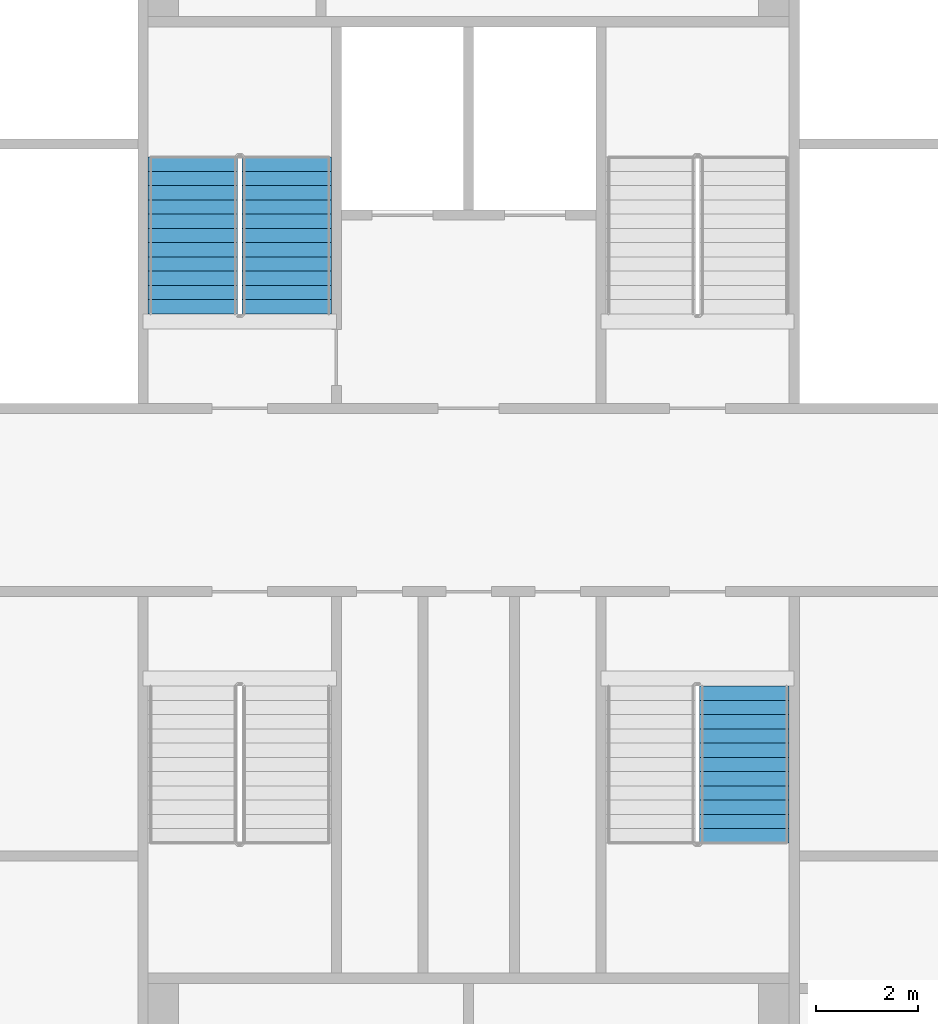
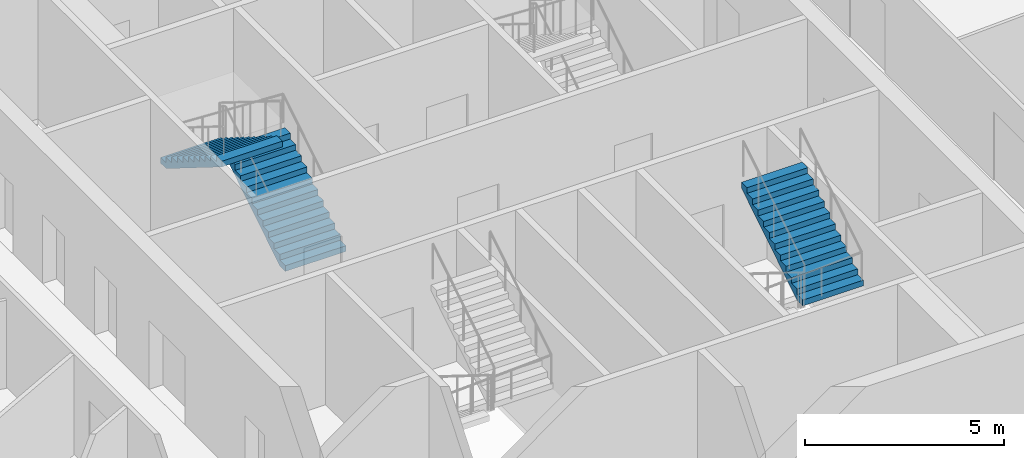
# One storey, part 25 of 31: 3 stair flights, 2 elements without a shape of their own.
"""IFC4 building model written with IfcOpenShell, lengths in metres."""

from ifc_helpers import new_model, si_unit, direction, frame, origin, place, context, subcontext, project, spatial, faceted_brep, material, type_object, element, aggregate, save


model = new_model("IFC4")

# Units and contexts
model_context = context("Model", 3, precision=1e-05, world=origin(), true_north=direction((0.0, 1.0)))
body_context = subcontext(model_context, "Body", "Model", "MODEL_VIEW")
ifc_project = project(units=[si_unit("LENGTHUNIT", "METRE"), si_unit("AREAUNIT", "SQUARE_METRE"), si_unit("VOLUMEUNIT", "CUBIC_METRE"), si_unit("PLANEANGLEUNIT", "RADIAN"), si_unit("MASSUNIT", "GRAM", prefix="KILO")], contexts=[model_context])

# Site, building, storey
site_placement = place(None, origin())
site = spatial("IfcSite", under=ifc_project, at=site_placement, CompositionType="ELEMENT")
building_placement = place(site_placement, origin())
building = spatial("IfcBuilding", under=site, at=building_placement, Name="Tarsis Ring Headquarters", CompositionType="ELEMENT")
storey_placement = place(building_placement, frame((0.0, 0.0, 390.199951171875)))
storey = spatial("IfcBuildingStorey", under=building, at=storey_placement, Name="L92", CompositionType="ELEMENT", Elevation=390.199951171875)

# Stair, stair flights
ifc_material_1 = material(Name="Core stair 1760")
stair_type = type_object("IfcStairType", Name="Core stair 1760", PredefinedType="HALF_TURN_STAIR", material=ifc_material_1)
stair_1_placement = place(storey_placement, origin())
stair_1 = element("IfcStair", 1, at=stair_1_placement, inside=storey, type_object=stair_type, Name="L92 Firefighting stair", PredefinedType="HALF_TURN_STAIR")
ifc_material_2 = material(Name="Concrete C40/50", Category="concrete")
stair_flight_type = type_object("IfcStairFlightType", Name="Core stair flight 1760", PredefinedType="STRAIGHT", material=ifc_material_2)
stair_flight_1_placement = place(storey_placement, frame((-3.580078125, 3.659912109375, 0.0), z_axis=(0.0, 0.0, 1.0), x_axis=(0.0, 1.0, 0.0)))
stair_flight_1 = element("IfcStairFlight", 2, at=stair_flight_1_placement, type_object=stair_flight_type, Name="Stair ST1 flight 1", NumberOfRisers=12, NumberOfTreads=11, PredefinedType="STRAIGHT", RiserHeight=0.175, TreadLength=0.28, context=body_context, shape_type="Brep", body=[
    faceted_brep([(0.0, 0.8798828125, 0.0), (0.0, 0.8798828125, 0.175048828125), (0.280029296875, 0.8798828125, 0.175048828125), (0.280029296875, 0.8798828125, 0.35009765625), (0.56005859375, 0.8798828125, 0.35009765625), (0.56005859375, 0.8798828125, 0.52490234375), (0.840087890625, 0.8798828125, 0.52490234375), (0.840087890625, 0.8798828125, 0.699951171875), (1.1201171875, 0.8798828125, 0.699951171875), (1.1201171875, 0.8798828125, 0.875), (1.39990234375, 0.8798828125, 0.875), (1.39990234375, 0.8798828125, 1.050048828125), (1.679931640625, 0.8798828125, 1.050048828125), (1.679931640625, 0.8798828125, 1.22509765625), (1.9599609375, 0.8798828125, 1.22509765625), (1.9599609375, 0.8798828125, 1.39990234375), (2.239990234375, 0.8798828125, 1.39990234375), (2.239990234375, 0.8798828125, 1.574951171875), (2.52001953125, 0.8798828125, 1.574951171875), (2.52001953125, 0.8798828125, 1.75), (2.800048828125, 0.8798828125, 1.75), (2.800048828125, 0.8798828125, 1.925048828125), (3.080078125, 0.8798828125, 1.925048828125), (3.080078125, 0.8798828125, 1.748291015625), (0.28271484375, 0.8798828125, 0.0), (0.28271484375, -0.8798828125, 0.0), (3.080078125, -0.8798828125, 1.748291015625), (3.080078125, -0.8798828125, 1.925048828125), (2.800048828125, -0.8798828125, 1.925048828125), (2.800048828125, -0.8798828125, 1.75), (2.52001953125, -0.8798828125, 1.75), (2.52001953125, -0.8798828125, 1.574951171875), (2.239990234375, -0.8798828125, 1.574951171875), (2.239990234375, -0.8798828125, 1.39990234375), (1.9599609375, -0.8798828125, 1.39990234375), (1.9599609375, -0.8798828125, 1.22509765625), (1.679931640625, -0.8798828125, 1.22509765625), (1.679931640625, -0.8798828125, 1.050048828125), (1.39990234375, -0.8798828125, 1.050048828125), (1.39990234375, -0.8798828125, 0.875), (1.1201171875, -0.8798828125, 0.875), (1.1201171875, -0.8798828125, 0.699951171875), (0.840087890625, -0.8798828125, 0.699951171875), (0.840087890625, -0.8798828125, 0.52490234375), (0.56005859375, -0.8798828125, 0.52490234375), (0.56005859375, -0.8798828125, 0.35009765625), (0.280029296875, -0.8798828125, 0.35009765625), (0.280029296875, -0.8798828125, 0.175048828125), (0.0, -0.8798828125, 0.175048828125), (0.0, -0.8798828125, 0.0), (0.0, -0.43994140625, 0.175048828125), (0.0, -0.43994140625, 0.0), (0.0, 0.0, 0.175048828125), (0.0, 0.0, 0.0), (0.0, 0.43994140625, 0.175048828125), (0.0, 0.43994140625, 0.0), (0.280029296875, -0.43994140625, 0.175048828125), (0.280029296875, 0.0, 0.175048828125), (0.280029296875, 0.43994140625, 0.175048828125), (0.280029296875, -0.43994140625, 0.35009765625), (0.280029296875, 0.0, 0.35009765625), (0.280029296875, 0.43994140625, 0.35009765625), (0.56005859375, -0.43994140625, 0.35009765625), (0.56005859375, 0.0, 0.35009765625), (0.56005859375, 0.43994140625, 0.35009765625), (0.56005859375, -0.43994140625, 0.52490234375), (0.56005859375, 0.0, 0.52490234375), (0.56005859375, 0.43994140625, 0.52490234375), (0.840087890625, -0.43994140625, 0.52490234375), (0.840087890625, 0.0, 0.52490234375), (0.840087890625, 0.43994140625, 0.52490234375), (0.840087890625, -0.43994140625, 0.699951171875), (0.840087890625, 0.0, 0.699951171875), (0.840087890625, 0.43994140625, 0.699951171875), (1.1201171875, -0.43994140625, 0.699951171875), (1.1201171875, 0.0, 0.699951171875), (1.1201171875, 0.43994140625, 0.699951171875), (1.1201171875, -0.43994140625, 0.875), (1.1201171875, 0.0, 0.875), (1.1201171875, 0.43994140625, 0.875), (1.39990234375, -0.43994140625, 0.875), (1.39990234375, 0.0, 0.875), (1.39990234375, 0.43994140625, 0.875), (1.39990234375, -0.43994140625, 1.050048828125), (1.39990234375, 0.0, 1.050048828125), (1.39990234375, 0.43994140625, 1.050048828125), (1.679931640625, -0.43994140625, 1.050048828125), (1.679931640625, 0.0, 1.050048828125), (1.679931640625, 0.43994140625, 1.050048828125), (1.679931640625, -0.43994140625, 1.22509765625), (1.679931640625, 0.0, 1.22509765625), (1.679931640625, 0.43994140625, 1.22509765625), (1.9599609375, -0.43994140625, 1.22509765625), (1.9599609375, 0.0, 1.22509765625), (1.9599609375, 0.43994140625, 1.22509765625), (1.9599609375, -0.43994140625, 1.39990234375), (1.9599609375, 0.0, 1.39990234375), (1.9599609375, 0.43994140625, 1.39990234375), (2.239990234375, -0.43994140625, 1.39990234375), (2.239990234375, 0.0, 1.39990234375), (2.239990234375, 0.43994140625, 1.39990234375), (2.239990234375, -0.43994140625, 1.574951171875), (2.239990234375, 0.0, 1.574951171875), (2.239990234375, 0.43994140625, 1.574951171875), (2.52001953125, -0.43994140625, 1.574951171875), (2.52001953125, 0.0, 1.574951171875), (2.52001953125, 0.43994140625, 1.574951171875), (2.52001953125, -0.43994140625, 1.75), (2.52001953125, 0.0, 1.75), (2.52001953125, 0.43994140625, 1.75), (2.800048828125, -0.43994140625, 1.75), (2.800048828125, 0.0, 1.75), (2.800048828125, 0.43994140625, 1.75), (2.800048828125, -0.43994140625, 1.925048828125), (2.800048828125, 0.0, 1.925048828125), (2.800048828125, 0.43994140625, 1.925048828125), (3.080078125, -0.43994140625, 1.925048828125), (3.080078125, 0.0, 1.925048828125), (3.080078125, 0.43994140625, 1.925048828125), (3.080078125, -0.43994140625, 1.748291015625), (3.080078125, 0.0, 1.748291015625), (3.080078125, 0.43994140625, 1.748291015625), (0.28271484375, -0.43994140625, 0.0), (0.28271484375, 0.0, 0.0), (0.28271484375, 0.43994140625, 0.0)], [[[0, 1, 2, 3, 4, 5, 6, 7, 8, 9, 10, 11, 12, 13, 14, 15, 16, 17, 18, 19, 20, 21, 22, 23, 24]], [[25, 26, 27, 28, 29, 30, 31, 32, 33, 34, 35, 36, 37, 38, 39, 40, 41, 42, 43, 44, 45, 46, 47, 48, 49]], [[49, 48, 50, 51]], [[51, 50, 52, 53]], [[53, 52, 54, 55]], [[55, 54, 1, 0]], [[48, 47, 56, 50]], [[50, 56, 57, 52]], [[52, 57, 58, 54]], [[54, 58, 2, 1]], [[47, 46, 59, 56]], [[56, 59, 60, 57]], [[57, 60, 61, 58]], [[58, 61, 3, 2]], [[46, 45, 62, 59]], [[59, 62, 63, 60]], [[60, 63, 64, 61]], [[61, 64, 4, 3]], [[45, 44, 65, 62]], [[62, 65, 66, 63]], [[63, 66, 67, 64]], [[64, 67, 5, 4]], [[44, 43, 68, 65]], [[65, 68, 69, 66]], [[66, 69, 70, 67]], [[67, 70, 6, 5]], [[43, 42, 71, 68]], [[68, 71, 72, 69]], [[69, 72, 73, 70]], [[70, 73, 7, 6]], [[42, 41, 74, 71]], [[71, 74, 75, 72]], [[72, 75, 76, 73]], [[73, 76, 8, 7]], [[41, 40, 77, 74]], [[74, 77, 78, 75]], [[75, 78, 79, 76]], [[76, 79, 9, 8]], [[40, 39, 80, 77]], [[77, 80, 81, 78]], [[78, 81, 82, 79]], [[79, 82, 10, 9]], [[39, 38, 83, 80]], [[80, 83, 84, 81]], [[81, 84, 85, 82]], [[82, 85, 11, 10]], [[38, 37, 86, 83]], [[83, 86, 87, 84]], [[84, 87, 88, 85]], [[85, 88, 12, 11]], [[37, 36, 89, 86]], [[86, 89, 90, 87]], [[87, 90, 91, 88]], [[88, 91, 13, 12]], [[36, 35, 92, 89]], [[89, 92, 93, 90]], [[90, 93, 94, 91]], [[91, 94, 14, 13]], [[35, 34, 95, 92]], [[92, 95, 96, 93]], [[93, 96, 97, 94]], [[94, 97, 15, 14]], [[34, 33, 98, 95]], [[95, 98, 99, 96]], [[96, 99, 100, 97]], [[97, 100, 16, 15]], [[33, 32, 101, 98]], [[98, 101, 102, 99]], [[99, 102, 103, 100]], [[100, 103, 17, 16]], [[32, 31, 104, 101]], [[101, 104, 105, 102]], [[102, 105, 106, 103]], [[103, 106, 18, 17]], [[31, 30, 107, 104]], [[104, 107, 108, 105]], [[105, 108, 109, 106]], [[106, 109, 19, 18]], [[30, 29, 110, 107]], [[107, 110, 111, 108]], [[108, 111, 112, 109]], [[109, 112, 20, 19]], [[29, 28, 113, 110]], [[110, 113, 114, 111]], [[111, 114, 115, 112]], [[112, 115, 21, 20]], [[28, 27, 116, 113]], [[113, 116, 117, 114]], [[114, 117, 118, 115]], [[115, 118, 22, 21]], [[27, 26, 119, 116]], [[116, 119, 120, 117]], [[117, 120, 121, 118]], [[118, 121, 23, 22]], [[26, 25, 122, 119]], [[119, 122, 123, 120]], [[120, 123, 124, 121]], [[121, 124, 24, 23]], [[25, 49, 51, 122]], [[122, 51, 53, 123]], [[123, 53, 55, 124]], [[124, 55, 0, 24]]]),
])
stair_flight_2_placement = place(storey_placement, frame((-5.419921875, 6.739990234375, 2.10009765625), z_axis=(0.0, 0.0, 1.0), x_axis=(0.0, -1.0, 0.0)))
stair_flight_2 = element("IfcStairFlight", 3, at=stair_flight_2_placement, type_object=stair_flight_type, Name="Stair ST1 flight 2", NumberOfRisers=12, NumberOfTreads=11, PredefinedType="STRAIGHT", RiserHeight=0.175, TreadLength=0.28, context=body_context, shape_type="Brep", body=[
    faceted_brep([(0.0, 0.8798828125, 0.0), (0.0, 0.8798828125, 0.175048828125), (0.280029296875, 0.8798828125, 0.175048828125), (0.280029296875, 0.8798828125, 0.35009765625), (0.56005859375, 0.8798828125, 0.35009765625), (0.56005859375, 0.8798828125, 0.52490234375), (0.840087890625, 0.8798828125, 0.52490234375), (0.840087890625, 0.8798828125, 0.699951171875), (1.1201171875, 0.8798828125, 0.699951171875), (1.1201171875, 0.8798828125, 0.875), (1.39990234375, 0.8798828125, 0.875), (1.39990234375, 0.8798828125, 1.050048828125), (1.679931640625, 0.8798828125, 1.050048828125), (1.679931640625, 0.8798828125, 1.22509765625), (1.9599609375, 0.8798828125, 1.22509765625), (1.9599609375, 0.8798828125, 1.39990234375), (2.239990234375, 0.8798828125, 1.39990234375), (2.239990234375, 0.8798828125, 1.574951171875), (2.52001953125, 0.8798828125, 1.574951171875), (2.52001953125, 0.8798828125, 1.75), (2.800048828125, 0.8798828125, 1.75), (2.800048828125, 0.8798828125, 1.925048828125), (3.080078125, 0.8798828125, 1.925048828125), (3.080078125, 0.8798828125, 1.748291015625), (0.28271484375, 0.8798828125, 0.0), (0.28271484375, -0.8798828125, 0.0), (3.080078125, -0.8798828125, 1.748291015625), (3.080078125, -0.8798828125, 1.925048828125), (2.800048828125, -0.8798828125, 1.925048828125), (2.800048828125, -0.8798828125, 1.75), (2.52001953125, -0.8798828125, 1.75), (2.52001953125, -0.8798828125, 1.574951171875), (2.239990234375, -0.8798828125, 1.574951171875), (2.239990234375, -0.8798828125, 1.39990234375), (1.9599609375, -0.8798828125, 1.39990234375), (1.9599609375, -0.8798828125, 1.22509765625), (1.679931640625, -0.8798828125, 1.22509765625), (1.679931640625, -0.8798828125, 1.050048828125), (1.39990234375, -0.8798828125, 1.050048828125), (1.39990234375, -0.8798828125, 0.875), (1.1201171875, -0.8798828125, 0.875), (1.1201171875, -0.8798828125, 0.699951171875), (0.840087890625, -0.8798828125, 0.699951171875), (0.840087890625, -0.8798828125, 0.52490234375), (0.56005859375, -0.8798828125, 0.52490234375), (0.56005859375, -0.8798828125, 0.35009765625), (0.280029296875, -0.8798828125, 0.35009765625), (0.280029296875, -0.8798828125, 0.175048828125), (0.0, -0.8798828125, 0.175048828125), (0.0, -0.8798828125, 0.0), (0.0, -0.43994140625, 0.175048828125), (0.0, -0.43994140625, 0.0), (0.0, 0.0, 0.175048828125), (0.0, 0.0, 0.0), (0.0, 0.43994140625, 0.175048828125), (0.0, 0.43994140625, 0.0), (0.280029296875, -0.43994140625, 0.175048828125), (0.280029296875, 0.0, 0.175048828125), (0.280029296875, 0.43994140625, 0.175048828125), (0.280029296875, -0.43994140625, 0.35009765625), (0.280029296875, 0.0, 0.35009765625), (0.280029296875, 0.43994140625, 0.35009765625), (0.56005859375, -0.43994140625, 0.35009765625), (0.56005859375, 0.0, 0.35009765625), (0.56005859375, 0.43994140625, 0.35009765625), (0.56005859375, -0.43994140625, 0.52490234375), (0.56005859375, 0.0, 0.52490234375), (0.56005859375, 0.43994140625, 0.52490234375), (0.840087890625, -0.43994140625, 0.52490234375), (0.840087890625, 0.0, 0.52490234375), (0.840087890625, 0.43994140625, 0.52490234375), (0.840087890625, -0.43994140625, 0.699951171875), (0.840087890625, 0.0, 0.699951171875), (0.840087890625, 0.43994140625, 0.699951171875), (1.1201171875, -0.43994140625, 0.699951171875), (1.1201171875, 0.0, 0.699951171875), (1.1201171875, 0.43994140625, 0.699951171875), (1.1201171875, -0.43994140625, 0.875), (1.1201171875, 0.0, 0.875), (1.1201171875, 0.43994140625, 0.875), (1.39990234375, -0.43994140625, 0.875), (1.39990234375, 0.0, 0.875), (1.39990234375, 0.43994140625, 0.875), (1.39990234375, -0.43994140625, 1.050048828125), (1.39990234375, 0.0, 1.050048828125), (1.39990234375, 0.43994140625, 1.050048828125), (1.679931640625, -0.43994140625, 1.050048828125), (1.679931640625, 0.0, 1.050048828125), (1.679931640625, 0.43994140625, 1.050048828125), (1.679931640625, -0.43994140625, 1.22509765625), (1.679931640625, 0.0, 1.22509765625), (1.679931640625, 0.43994140625, 1.22509765625), (1.9599609375, -0.43994140625, 1.22509765625), (1.9599609375, 0.0, 1.22509765625), (1.9599609375, 0.43994140625, 1.22509765625), (1.9599609375, -0.43994140625, 1.39990234375), (1.9599609375, 0.0, 1.39990234375), (1.9599609375, 0.43994140625, 1.39990234375), (2.239990234375, -0.43994140625, 1.39990234375), (2.239990234375, 0.0, 1.39990234375), (2.239990234375, 0.43994140625, 1.39990234375), (2.239990234375, -0.43994140625, 1.574951171875), (2.239990234375, 0.0, 1.574951171875), (2.239990234375, 0.43994140625, 1.574951171875), (2.52001953125, -0.43994140625, 1.574951171875), (2.52001953125, 0.0, 1.574951171875), (2.52001953125, 0.43994140625, 1.574951171875), (2.52001953125, -0.43994140625, 1.75), (2.52001953125, 0.0, 1.75), (2.52001953125, 0.43994140625, 1.75), (2.800048828125, -0.43994140625, 1.75), (2.800048828125, 0.0, 1.75), (2.800048828125, 0.43994140625, 1.75), (2.800048828125, -0.43994140625, 1.925048828125), (2.800048828125, 0.0, 1.925048828125), (2.800048828125, 0.43994140625, 1.925048828125), (3.080078125, -0.43994140625, 1.925048828125), (3.080078125, 0.0, 1.925048828125), (3.080078125, 0.43994140625, 1.925048828125), (3.080078125, -0.43994140625, 1.748291015625), (3.080078125, 0.0, 1.748291015625), (3.080078125, 0.43994140625, 1.748291015625), (0.28271484375, -0.43994140625, 0.0), (0.28271484375, 0.0, 0.0), (0.28271484375, 0.43994140625, 0.0)], [[[0, 1, 2, 3, 4, 5, 6, 7, 8, 9, 10, 11, 12, 13, 14, 15, 16, 17, 18, 19, 20, 21, 22, 23, 24]], [[25, 26, 27, 28, 29, 30, 31, 32, 33, 34, 35, 36, 37, 38, 39, 40, 41, 42, 43, 44, 45, 46, 47, 48, 49]], [[49, 48, 50, 51]], [[51, 50, 52, 53]], [[53, 52, 54, 55]], [[55, 54, 1, 0]], [[48, 47, 56, 50]], [[50, 56, 57, 52]], [[52, 57, 58, 54]], [[54, 58, 2, 1]], [[47, 46, 59, 56]], [[56, 59, 60, 57]], [[57, 60, 61, 58]], [[58, 61, 3, 2]], [[46, 45, 62, 59]], [[59, 62, 63, 60]], [[60, 63, 64, 61]], [[61, 64, 4, 3]], [[45, 44, 65, 62]], [[62, 65, 66, 63]], [[63, 66, 67, 64]], [[64, 67, 5, 4]], [[44, 43, 68, 65]], [[65, 68, 69, 66]], [[66, 69, 70, 67]], [[67, 70, 6, 5]], [[43, 42, 71, 68]], [[68, 71, 72, 69]], [[69, 72, 73, 70]], [[70, 73, 7, 6]], [[42, 41, 74, 71]], [[71, 74, 75, 72]], [[72, 75, 76, 73]], [[73, 76, 8, 7]], [[41, 40, 77, 74]], [[74, 77, 78, 75]], [[75, 78, 79, 76]], [[76, 79, 9, 8]], [[40, 39, 80, 77]], [[77, 80, 81, 78]], [[78, 81, 82, 79]], [[79, 82, 10, 9]], [[39, 38, 83, 80]], [[80, 83, 84, 81]], [[81, 84, 85, 82]], [[82, 85, 11, 10]], [[38, 37, 86, 83]], [[83, 86, 87, 84]], [[84, 87, 88, 85]], [[85, 88, 12, 11]], [[37, 36, 89, 86]], [[86, 89, 90, 87]], [[87, 90, 91, 88]], [[88, 91, 13, 12]], [[36, 35, 92, 89]], [[89, 92, 93, 90]], [[90, 93, 94, 91]], [[91, 94, 14, 13]], [[35, 34, 95, 92]], [[92, 95, 96, 93]], [[93, 96, 97, 94]], [[94, 97, 15, 14]], [[34, 33, 98, 95]], [[95, 98, 99, 96]], [[96, 99, 100, 97]], [[97, 100, 16, 15]], [[33, 32, 101, 98]], [[98, 101, 102, 99]], [[99, 102, 103, 100]], [[100, 103, 17, 16]], [[32, 31, 104, 101]], [[101, 104, 105, 102]], [[102, 105, 106, 103]], [[103, 106, 18, 17]], [[31, 30, 107, 104]], [[104, 107, 108, 105]], [[105, 108, 109, 106]], [[106, 109, 19, 18]], [[30, 29, 110, 107]], [[107, 110, 111, 108]], [[108, 111, 112, 109]], [[109, 112, 20, 19]], [[29, 28, 113, 110]], [[110, 113, 114, 111]], [[111, 114, 115, 112]], [[112, 115, 21, 20]], [[28, 27, 116, 113]], [[113, 116, 117, 114]], [[114, 117, 118, 115]], [[115, 118, 22, 21]], [[27, 26, 119, 116]], [[116, 119, 120, 117]], [[117, 120, 121, 118]], [[118, 121, 23, 22]], [[26, 25, 122, 119]], [[119, 122, 123, 120]], [[120, 123, 124, 121]], [[121, 124, 24, 23]], [[25, 49, 51, 122]], [[122, 51, 53, 123]], [[123, 53, 55, 124]], [[124, 55, 0, 24]]]),
])
aggregate(stair_1, [stair_flight_1, stair_flight_2])

# Stair, stair flight
stair_2_placement = place(storey_placement, origin())
stair_2 = element("IfcStair", 4, at=stair_2_placement, inside=storey, type_object=stair_type, Name="L92 Exit stair D", PredefinedType="HALF_TURN_STAIR")
stair_flight_3_placement = place(storey_placement, frame((5.419921875, -6.739990234375, 2.10009765625), z_axis=(0.0, 0.0, 1.0), x_axis=(0.0, 1.0, 0.0)))
stair_flight_3 = element("IfcStairFlight", 5, at=stair_flight_3_placement, type_object=stair_flight_type, Name="Stair ST4 flight 2", NumberOfRisers=12, NumberOfTreads=11, PredefinedType="STRAIGHT", RiserHeight=0.175, TreadLength=0.28, context=body_context, shape_type="Brep", body=[
    faceted_brep([(0.0, 0.8798828125, 0.0), (0.0, 0.8798828125, 0.175048828125), (0.280029296875, 0.8798828125, 0.175048828125), (0.280029296875, 0.8798828125, 0.35009765625), (0.56005859375, 0.8798828125, 0.35009765625), (0.56005859375, 0.8798828125, 0.52490234375), (0.840087890625, 0.8798828125, 0.52490234375), (0.840087890625, 0.8798828125, 0.699951171875), (1.1201171875, 0.8798828125, 0.699951171875), (1.1201171875, 0.8798828125, 0.875), (1.39990234375, 0.8798828125, 0.875), (1.39990234375, 0.8798828125, 1.050048828125), (1.679931640625, 0.8798828125, 1.050048828125), (1.679931640625, 0.8798828125, 1.22509765625), (1.9599609375, 0.8798828125, 1.22509765625), (1.9599609375, 0.8798828125, 1.39990234375), (2.239990234375, 0.8798828125, 1.39990234375), (2.239990234375, 0.8798828125, 1.574951171875), (2.52001953125, 0.8798828125, 1.574951171875), (2.52001953125, 0.8798828125, 1.75), (2.800048828125, 0.8798828125, 1.75), (2.800048828125, 0.8798828125, 1.925048828125), (3.080078125, 0.8798828125, 1.925048828125), (3.080078125, 0.8798828125, 1.748291015625), (0.28271484375, 0.8798828125, 0.0), (0.28271484375, -0.8798828125, 0.0), (3.080078125, -0.8798828125, 1.748291015625), (3.080078125, -0.8798828125, 1.925048828125), (2.800048828125, -0.8798828125, 1.925048828125), (2.800048828125, -0.8798828125, 1.75), (2.52001953125, -0.8798828125, 1.75), (2.52001953125, -0.8798828125, 1.574951171875), (2.239990234375, -0.8798828125, 1.574951171875), (2.239990234375, -0.8798828125, 1.39990234375), (1.9599609375, -0.8798828125, 1.39990234375), (1.9599609375, -0.8798828125, 1.22509765625), (1.679931640625, -0.8798828125, 1.22509765625), (1.679931640625, -0.8798828125, 1.050048828125), (1.39990234375, -0.8798828125, 1.050048828125), (1.39990234375, -0.8798828125, 0.875), (1.1201171875, -0.8798828125, 0.875), (1.1201171875, -0.8798828125, 0.699951171875), (0.840087890625, -0.8798828125, 0.699951171875), (0.840087890625, -0.8798828125, 0.52490234375), (0.56005859375, -0.8798828125, 0.52490234375), (0.56005859375, -0.8798828125, 0.35009765625), (0.280029296875, -0.8798828125, 0.35009765625), (0.280029296875, -0.8798828125, 0.175048828125), (0.0, -0.8798828125, 0.175048828125), (0.0, -0.8798828125, 0.0), (0.0, -0.43994140625, 0.175048828125), (0.0, -0.43994140625, 0.0), (0.0, 0.0, 0.175048828125), (0.0, 0.0, 0.0), (0.0, 0.43994140625, 0.175048828125), (0.0, 0.43994140625, 0.0), (0.280029296875, -0.43994140625, 0.175048828125), (0.280029296875, 0.0, 0.175048828125), (0.280029296875, 0.43994140625, 0.175048828125), (0.280029296875, -0.43994140625, 0.35009765625), (0.280029296875, 0.0, 0.35009765625), (0.280029296875, 0.43994140625, 0.35009765625), (0.56005859375, -0.43994140625, 0.35009765625), (0.56005859375, 0.0, 0.35009765625), (0.56005859375, 0.43994140625, 0.35009765625), (0.56005859375, -0.43994140625, 0.52490234375), (0.56005859375, 0.0, 0.52490234375), (0.56005859375, 0.43994140625, 0.52490234375), (0.840087890625, -0.43994140625, 0.52490234375), (0.840087890625, 0.0, 0.52490234375), (0.840087890625, 0.43994140625, 0.52490234375), (0.840087890625, -0.43994140625, 0.699951171875), (0.840087890625, 0.0, 0.699951171875), (0.840087890625, 0.43994140625, 0.699951171875), (1.1201171875, -0.43994140625, 0.699951171875), (1.1201171875, 0.0, 0.699951171875), (1.1201171875, 0.43994140625, 0.699951171875), (1.1201171875, -0.43994140625, 0.875), (1.1201171875, 0.0, 0.875), (1.1201171875, 0.43994140625, 0.875), (1.39990234375, -0.43994140625, 0.875), (1.39990234375, 0.0, 0.875), (1.39990234375, 0.43994140625, 0.875), (1.39990234375, -0.43994140625, 1.050048828125), (1.39990234375, 0.0, 1.050048828125), (1.39990234375, 0.43994140625, 1.050048828125), (1.679931640625, -0.43994140625, 1.050048828125), (1.679931640625, 0.0, 1.050048828125), (1.679931640625, 0.43994140625, 1.050048828125), (1.679931640625, -0.43994140625, 1.22509765625), (1.679931640625, 0.0, 1.22509765625), (1.679931640625, 0.43994140625, 1.22509765625), (1.9599609375, -0.43994140625, 1.22509765625), (1.9599609375, 0.0, 1.22509765625), (1.9599609375, 0.43994140625, 1.22509765625), (1.9599609375, -0.43994140625, 1.39990234375), (1.9599609375, 0.0, 1.39990234375), (1.9599609375, 0.43994140625, 1.39990234375), (2.239990234375, -0.43994140625, 1.39990234375), (2.239990234375, 0.0, 1.39990234375), (2.239990234375, 0.43994140625, 1.39990234375), (2.239990234375, -0.43994140625, 1.574951171875), (2.239990234375, 0.0, 1.574951171875), (2.239990234375, 0.43994140625, 1.574951171875), (2.52001953125, -0.43994140625, 1.574951171875), (2.52001953125, 0.0, 1.574951171875), (2.52001953125, 0.43994140625, 1.574951171875), (2.52001953125, -0.43994140625, 1.75), (2.52001953125, 0.0, 1.75), (2.52001953125, 0.43994140625, 1.75), (2.800048828125, -0.43994140625, 1.75), (2.800048828125, 0.0, 1.75), (2.800048828125, 0.43994140625, 1.75), (2.800048828125, -0.43994140625, 1.925048828125), (2.800048828125, 0.0, 1.925048828125), (2.800048828125, 0.43994140625, 1.925048828125), (3.080078125, -0.43994140625, 1.925048828125), (3.080078125, 0.0, 1.925048828125), (3.080078125, 0.43994140625, 1.925048828125), (3.080078125, -0.43994140625, 1.748291015625), (3.080078125, 0.0, 1.748291015625), (3.080078125, 0.43994140625, 1.748291015625), (0.28271484375, -0.43994140625, 0.0), (0.28271484375, 0.0, 0.0), (0.28271484375, 0.43994140625, 0.0)], [[[0, 1, 2, 3, 4, 5, 6, 7, 8, 9, 10, 11, 12, 13, 14, 15, 16, 17, 18, 19, 20, 21, 22, 23, 24]], [[25, 26, 27, 28, 29, 30, 31, 32, 33, 34, 35, 36, 37, 38, 39, 40, 41, 42, 43, 44, 45, 46, 47, 48, 49]], [[49, 48, 50, 51]], [[51, 50, 52, 53]], [[53, 52, 54, 55]], [[55, 54, 1, 0]], [[48, 47, 56, 50]], [[50, 56, 57, 52]], [[52, 57, 58, 54]], [[54, 58, 2, 1]], [[47, 46, 59, 56]], [[56, 59, 60, 57]], [[57, 60, 61, 58]], [[58, 61, 3, 2]], [[46, 45, 62, 59]], [[59, 62, 63, 60]], [[60, 63, 64, 61]], [[61, 64, 4, 3]], [[45, 44, 65, 62]], [[62, 65, 66, 63]], [[63, 66, 67, 64]], [[64, 67, 5, 4]], [[44, 43, 68, 65]], [[65, 68, 69, 66]], [[66, 69, 70, 67]], [[67, 70, 6, 5]], [[43, 42, 71, 68]], [[68, 71, 72, 69]], [[69, 72, 73, 70]], [[70, 73, 7, 6]], [[42, 41, 74, 71]], [[71, 74, 75, 72]], [[72, 75, 76, 73]], [[73, 76, 8, 7]], [[41, 40, 77, 74]], [[74, 77, 78, 75]], [[75, 78, 79, 76]], [[76, 79, 9, 8]], [[40, 39, 80, 77]], [[77, 80, 81, 78]], [[78, 81, 82, 79]], [[79, 82, 10, 9]], [[39, 38, 83, 80]], [[80, 83, 84, 81]], [[81, 84, 85, 82]], [[82, 85, 11, 10]], [[38, 37, 86, 83]], [[83, 86, 87, 84]], [[84, 87, 88, 85]], [[85, 88, 12, 11]], [[37, 36, 89, 86]], [[86, 89, 90, 87]], [[87, 90, 91, 88]], [[88, 91, 13, 12]], [[36, 35, 92, 89]], [[89, 92, 93, 90]], [[90, 93, 94, 91]], [[91, 94, 14, 13]], [[35, 34, 95, 92]], [[92, 95, 96, 93]], [[93, 96, 97, 94]], [[94, 97, 15, 14]], [[34, 33, 98, 95]], [[95, 98, 99, 96]], [[96, 99, 100, 97]], [[97, 100, 16, 15]], [[33, 32, 101, 98]], [[98, 101, 102, 99]], [[99, 102, 103, 100]], [[100, 103, 17, 16]], [[32, 31, 104, 101]], [[101, 104, 105, 102]], [[102, 105, 106, 103]], [[103, 106, 18, 17]], [[31, 30, 107, 104]], [[104, 107, 108, 105]], [[105, 108, 109, 106]], [[106, 109, 19, 18]], [[30, 29, 110, 107]], [[107, 110, 111, 108]], [[108, 111, 112, 109]], [[109, 112, 20, 19]], [[29, 28, 113, 110]], [[110, 113, 114, 111]], [[111, 114, 115, 112]], [[112, 115, 21, 20]], [[28, 27, 116, 113]], [[113, 116, 117, 114]], [[114, 117, 118, 115]], [[115, 118, 22, 21]], [[27, 26, 119, 116]], [[116, 119, 120, 117]], [[117, 120, 121, 118]], [[118, 121, 23, 22]], [[26, 25, 122, 119]], [[119, 122, 123, 120]], [[120, 123, 124, 121]], [[121, 124, 24, 23]], [[25, 49, 51, 122]], [[122, 51, 53, 123]], [[123, 53, 55, 124]], [[124, 55, 0, 24]]]),
])
aggregate(stair_2, [stair_flight_3])

save(model, "model.ifc")
